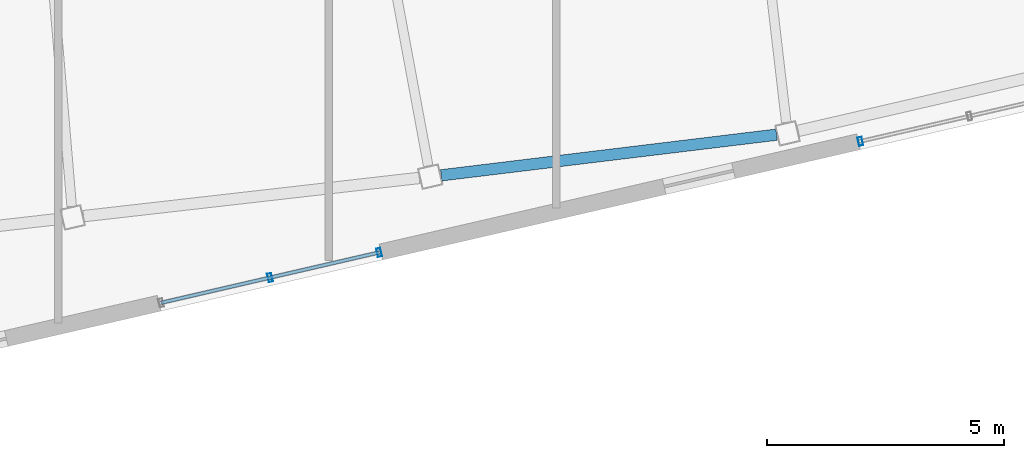
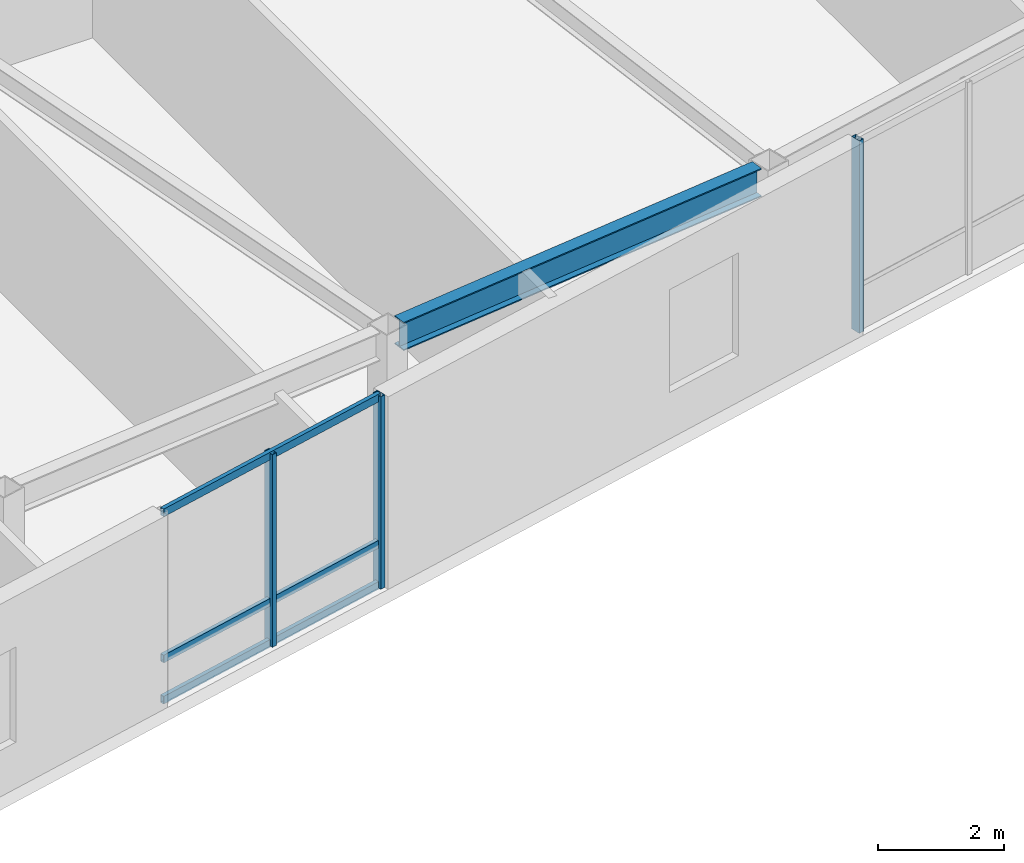
# One storey, part 8 of 24: 6 members, 1 beam, 2 elements without a shape of their own.
"""IFC4 building model written with IfcOpenShell, lengths in metres."""

from ifc_helpers import new_model, si_unit, direction, frame, origin, origin_2d, place, context, subcontext, project, spatial, hollow_rectangle, i_section, extrude, material, layer, layer_set, material_profile, profile_set, type_object, element, aggregate, save


model = new_model("IFC4")

# Units and contexts
model_context = context("Model", 3, precision=1e-05, world=origin(), true_north=direction((0.0, 1.0)))
body_context = subcontext(model_context, "Body", "Model", "MODEL_VIEW")
ifc_project = project(units=[si_unit("LENGTHUNIT", "METRE"), si_unit("AREAUNIT", "SQUARE_METRE"), si_unit("VOLUMEUNIT", "CUBIC_METRE"), si_unit("PLANEANGLEUNIT", "RADIAN"), si_unit("MASSUNIT", "GRAM", prefix="KILO")], contexts=[model_context])

# Site, building, storey
site_placement = place(None, origin())
site = spatial("IfcSite", under=ifc_project, at=site_placement, CompositionType="ELEMENT")
building_placement = place(site_placement, origin())
building = spatial("IfcBuilding", under=site, at=building_placement, Name="Tavrogorsk Clinical Tower", CompositionType="ELEMENT")
storey_placement = place(building_placement, frame((0.0, 0.0, 309.0)))
storey = spatial("IfcBuildingStorey", under=building, at=storey_placement, Name="L72", CompositionType="ELEMENT", Elevation=309.0)

# Curtain wall, members
ifc_material_1 = material(Name="Anodised aluminium and triple IGU glazing", Category="aluminium")
ifc_layer = layer(ifc_material_1, 0.179931640625)
ifc_layer_set = layer_set([ifc_layer], Name="Anodised aluminium and triple IGU glazing")
curtain_wall_type = type_object("IfcCurtainWallType", Name="CW3_SouthSlot", PredefinedType="NOTDEFINED", material=ifc_layer_set)
curtain_wall_1_placement = place(storey_placement, origin())
curtain_wall_1 = element("IfcCurtainWall", 1, at=curtain_wall_1_placement, inside=storey, type_object=curtain_wall_type, Name="L72 Curtain Wall CW-L72-S-SLOT-1", PredefinedType="NOTDEFINED")
ifc_material_2 = material(Name="Anodised aluminium alloy AW-6060", Category="aluminium")
ifc_material_profile_1 = material_profile(ifc_material_2, hollow_rectangle(XDim=0.090087890625, YDim=0.179931640625, WallThickness=0.00634765625, at=origin_2d()), Name="RHS-180x90x6.3")
ifc_profile_set_1 = profile_set([ifc_material_profile_1], Name="Anodised aluminium alloy AW-6060")
member_type_1 = type_object("IfcMemberType", Name="CwMullion_180x90", PredefinedType="MULLION", material=ifc_profile_set_1)
member_1_placement = place(storey_placement, frame((-4.633544921875, -25.438232421875, 0.0), z_axis=(0.0, 0.0, 1.0), x_axis=(0.974370057377, 0.224951086434, 0.0)))
member_1 = element("IfcMember", 2, at=member_1_placement, type_object=member_type_1, Name="CW-L72-S-SLOT-1 Mullion 2", PredefinedType="MULLION", context=body_context, shape_type="SweptSolid", body=[
    extrude(hollow_rectangle(XDim=0.090087890625, YDim=0.179931640625, WallThickness=0.00634765625, at=origin_2d()), origin(), (0.0, 0.0, 1.0), 3.739990234375),
])
member_2_placement = place(storey_placement, frame((-2.3349609375, -24.90771484375, 0.0), z_axis=(0.0, 0.0, 1.0), x_axis=(0.974370057377, 0.224951086434, 0.0)))
member_2 = element("IfcMember", 3, at=member_2_placement, type_object=member_type_1, Name="CW-L72-S-SLOT-1 Mullion 3", PredefinedType="MULLION", context=body_context, shape_type="SweptSolid", body=[
    extrude(hollow_rectangle(XDim=0.090087890625, YDim=0.179931640625, WallThickness=0.00634765625, at=origin_2d()), origin(), (0.0, 0.0, 1.0), 3.739990234375),
])

# Curtain wall, member
curtain_wall_2_placement = place(storey_placement, origin())
curtain_wall_2 = element("IfcCurtainWall", 4, at=curtain_wall_2_placement, inside=storey, type_object=curtain_wall_type, Name="L72 Curtain Wall CW-L72-S-SLOT-2", PredefinedType="NOTDEFINED")
member_3_placement = place(storey_placement, frame((7.80810546875, -22.56591796875, 0.0), z_axis=(0.0, 0.0, 1.0), x_axis=(0.974370057377, 0.224951086434, 0.0)))
member_3 = element("IfcMember", 5, at=member_3_placement, type_object=member_type_1, Name="CW-L72-S-SLOT-2 Mullion 1", PredefinedType="MULLION", context=body_context, shape_type="SweptSolid", body=[
    extrude(hollow_rectangle(XDim=0.090087890625, YDim=0.179931640625, WallThickness=0.00634765625, at=origin_2d()), origin(), (0.0, 0.0, 1.0), 3.739990234375),
])
aggregate(curtain_wall_2, [member_3])

# Member
ifc_material_3 = material(Name="Anodised aluminium alloy AW-6060", Category="aluminium")
ifc_material_profile_2 = material_profile(ifc_material_3, hollow_rectangle(XDim=0.074951171875, YDim=0.14990234375, WallThickness=0.0048828125, at=origin_2d()), Name="RHS-150x75x5")
ifc_profile_set_2 = profile_set([ifc_material_profile_2], Name="Anodised aluminium alloy AW-6060")
member_type_2 = type_object("IfcMemberType", Name="CwTransom_150x75", PredefinedType="USERDEFINED", material=ifc_profile_set_2)
member_4_placement = place(storey_placement, frame((-6.93212890625, -25.968994140625, 0.050048828125), z_axis=(0.974372877948, 0.22493886885, 0.0), x_axis=(-0.22493886885, 0.974372877948, 0.0)))
member_4 = element("IfcMember", 6, at=member_4_placement, type_object=member_type_2, Name="CW-L72-S-SLOT-1 Transom 1", ObjectType="TRANSOM", PredefinedType="USERDEFINED", context=body_context, shape_type="SweptSolid", body=[
    extrude(hollow_rectangle(XDim=0.074951171875, YDim=0.14990234375, WallThickness=0.0048828125, at=origin_2d()), origin(), (0.0, 0.0, 1.0), 4.718017578125),
])

member_5_placement = place(storey_placement, frame((-6.93212890625, -25.968994140625, 0.85009765625), z_axis=(0.974372877948, 0.22493886885, 0.0), x_axis=(-0.22493886885, 0.974372877948, 0.0)))
member_5 = element("IfcMember", 7, at=member_5_placement, type_object=member_type_2, Name="CW-L72-S-SLOT-1 Transom 2", ObjectType="TRANSOM", PredefinedType="USERDEFINED", context=body_context, shape_type="SweptSolid", body=[
    extrude(hollow_rectangle(XDim=0.074951171875, YDim=0.14990234375, WallThickness=0.0048828125, at=origin_2d()), origin(), (0.0, 0.0, 1.0), 4.718017578125),
])

member_6_placement = place(storey_placement, frame((-6.93212890625, -25.968994140625, 3.68994140625), z_axis=(0.974372877948, 0.22493886885, 0.0), x_axis=(-0.22493886885, 0.974372877948, 0.0)))
member_6 = element("IfcMember", 8, at=member_6_placement, type_object=member_type_2, Name="CW-L72-S-SLOT-1 Transom 3", ObjectType="TRANSOM", PredefinedType="USERDEFINED", context=body_context, shape_type="SweptSolid", body=[
    extrude(hollow_rectangle(XDim=0.074951171875, YDim=0.14990234375, WallThickness=0.0048828125, at=origin_2d()), origin(), (0.0, 0.0, 1.0), 4.718017578125),
])

aggregate(curtain_wall_1, [member_1, member_2, member_4, member_5, member_6])

# Beam
ifc_material_4 = material(Name="Structural steel S390", Category="steel")
ifc_material_profile_3 = material_profile(ifc_material_4, i_section(OverallWidth=0.239990234375, OverallDepth=0.550048828125, WebThickness=0.013916015625, FlangeThickness=0.02197265625, at=origin_2d()), Name="B-550x240x14x22")
ifc_profile_set_3 = profile_set([ifc_material_profile_3], Name="Structural steel S390")
beam_type = type_object("IfcBeamType", Name="SpandrelBeam_B550", PredefinedType="SPANDREL", material=ifc_profile_set_3)
beam_placement = place(storey_placement, frame((-1.026123046875, -23.28173828125, 3.465087890625), z_axis=(0.992733657897, 0.120332391639, 0.0), x_axis=(-0.120332391639, 0.992733657897, 0.0)))
element("IfcBeam", 9, at=beam_placement, inside=storey, type_object=beam_type, Name="L72 Perimeter Spandrel S4-S5", PredefinedType="SPANDREL", context=body_context, shape_type="SweptSolid", body=[
    extrude(i_section(OverallWidth=0.239990234375, OverallDepth=0.550048828125, WebThickness=0.013916015625, FlangeThickness=0.02197265625, at=origin_2d()), origin(), (0.0, 0.0, 1.0), 7.119384765625),
])

save(model, "model.ifc")
